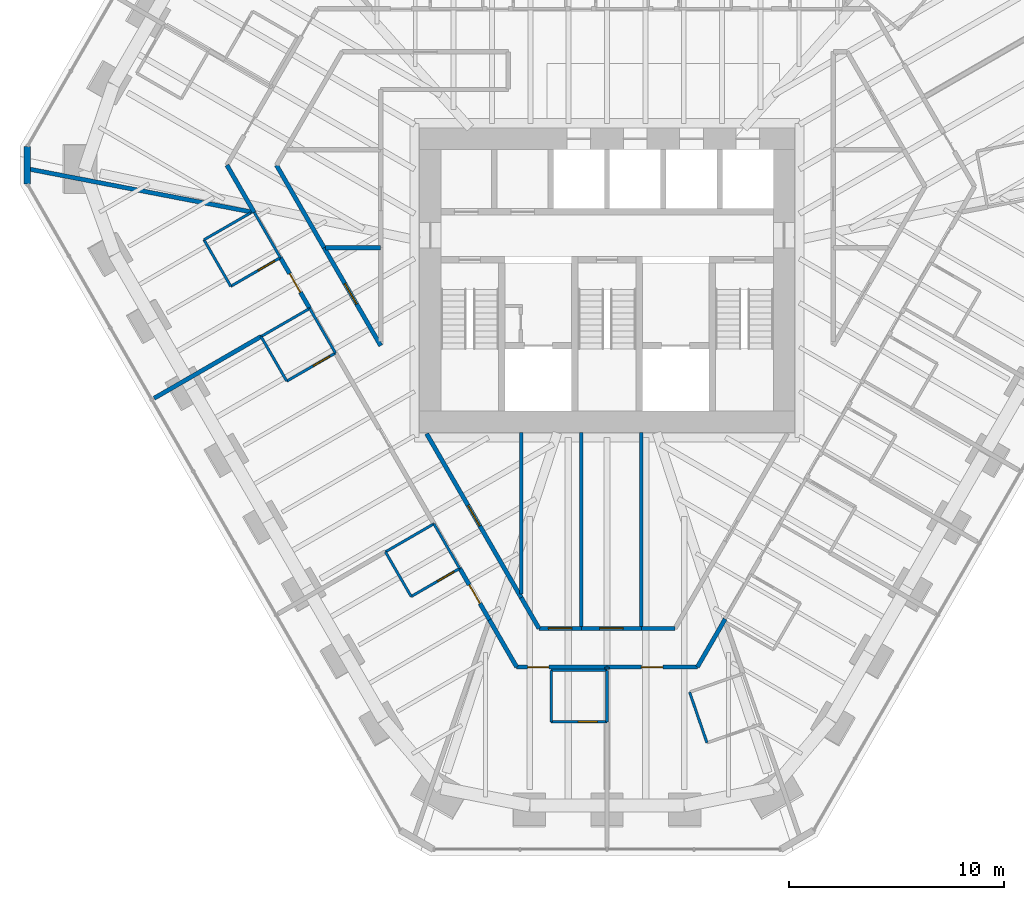
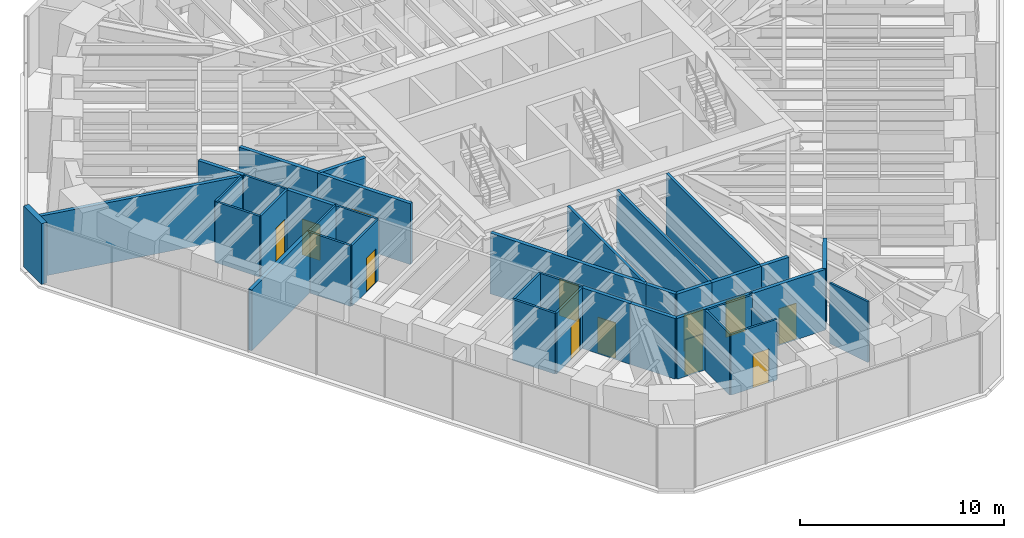
# One storey, part 11 of 17: 39 walls, 12 doors, 12 openings.
"""IFC4 building model written with IfcOpenShell, lengths in metres."""

from ifc_helpers import new_model, si_unit, direction, frame, frame_2d, origin, place, context, subcontext, project, spatial, rectangle, extrude, material, layer, layer_set, type_object, element, fill, save


model = new_model("IFC4")

# Units and contexts
model_context = context("Model", 3, precision=1e-05, world=origin(), true_north=direction((0.0, 1.0)))
body_context = subcontext(model_context, "Body", "Model", "MODEL_VIEW")
ifc_project = project(units=[si_unit("LENGTHUNIT", "METRE"), si_unit("AREAUNIT", "SQUARE_METRE"), si_unit("VOLUMEUNIT", "CUBIC_METRE"), si_unit("PLANEANGLEUNIT", "RADIAN"), si_unit("MASSUNIT", "GRAM", prefix="KILO")], contexts=[model_context])

# Site, building, storey
site_placement = place(None, origin())
site = spatial("IfcSite", under=ifc_project, at=site_placement, CompositionType="ELEMENT")
building_placement = place(site_placement, origin())
building = spatial("IfcBuilding", under=site, at=building_placement, Name="Sandreach Pilgrim Tower", CompositionType="ELEMENT")
storey_placement = place(building_placement, frame((0.0, 0.0, 240.199951171875)))
storey = spatial("IfcBuildingStorey", under=building, at=storey_placement, Name="L60", CompositionType="ELEMENT", Elevation=240.199951171875)

# Walls
ifc_material_1 = material(Name="Gypsum board on steel studs", Category="steel")
ifc_layer_1 = layer(ifc_material_1, 0.14990234375)
ifc_layer_set_1 = layer_set([ifc_layer_1], Name="Back of house wall 150")
wall_type_1 = type_object("IfcWallType", Name="Back of house wall 150", PredefinedType="PARTITIONING", material=ifc_layer_set_1)
wall_1_placement = place(storey_placement, frame((-4.0, -7.10009765625, 0.0), z_axis=(0.0, 0.0, 1.0), x_axis=(0.0, -1.0, 0.0)))
element("IfcWall", 1, at=wall_1_placement, inside=storey, type_object=wall_type_1, Name="Back of house wall L60-060", PredefinedType="PARTITIONING", context=body_context, shape_type="SweptSolid", body=[
    extrude(rectangle(XDim=7.514892578125, YDim=0.14990234375, at=frame_2d((3.75732421875, 0.0))), origin(), (0.0, 0.0, 1.0), 3.64013671875),
])
for number, where, z_axis, x_axis, name in (
    (2, (-1.199951171875, -7.10009765625, 0.0), (0.0, 0.0, 1.0), (0.0, -1.0, 0.0), "Back of house wall L60-069"),
    (3, (1.60009765625, -7.10009765625, 0.0), (0.0, 0.0, 1.0), (0.0, -1.0, 0.0), "Back of house wall L60-078"),
):
    element("IfcWall", number, at=place(storey_placement, frame(where, z_axis=z_axis, x_axis=x_axis)), inside=storey, type_object=wall_type_1, Name=name, PredefinedType="PARTITIONING", context=body_context, shape_type="SweptSolid", body=[
        extrude(rectangle(XDim=9.1298828125, YDim=0.14990234375, at=frame_2d((4.56494140625, 0.0))), origin(), (0.0, 0.0, 1.0), 3.64013671875),
    ])
ifc_material_2 = material(Name="Moisture-resistant gypsum board on steel studs", Category="steel")
ifc_layer_2 = layer(ifc_material_2, 0.1201171875)
ifc_layer_set_2 = layer_set([ifc_layer_2], Name="Bathroom partition 120")
wall_type_2 = type_object("IfcWallType", Name="Bathroom partition 120", PredefinedType="PARTITIONING", material=ifc_layer_set_2)
wall_2_placement = place(storey_placement, frame((-18.7900390625, 1.889892578125, 0.0), z_axis=(0.0, 0.0, 1.0), x_axis=(0.499159685399, -0.866510016372, 0.0)))
element("IfcWall", 4, at=wall_2_placement, inside=storey, type_object=wall_type_2, Name="Bathroom partition L60-008", PredefinedType="PARTITIONING", context=body_context, shape_type="SweptSolid", body=[
    extrude(rectangle(XDim=2.504150390625, YDim=0.1201171875, at=frame_2d((1.251953125, 0.0))), origin(), (0.0, 0.0, 1.0), 3.64013671875),
])

# Wall, opening, door
wall_3_placement = place(storey_placement, frame((-17.5400390625, -0.280029296875, 0.0), z_axis=(0.0, 0.0, 1.0), x_axis=(0.86498992408, 0.501789229896, 0.0)))
wall_3 = element("IfcWall", 5, at=wall_3_placement, inside=storey, type_object=wall_type_2, Name="Bathroom partition L60-013", PredefinedType="PARTITIONING", context=body_context, shape_type="SweptSolid", body=[
    extrude(rectangle(XDim=2.670654296875, YDim=0.1201171875, at=frame_2d((1.33544921875, 0.0))), origin(), (0.0, 0.0, 1.0), 3.64013671875),
])
opening_1_placement = place(wall_3_placement, frame((1.470458984375, 0.0, 0.0)))
opening_1 = element("IfcOpeningElement", 6, at=opening_1_placement, cuts=wall_3, Name="Opening D09-17B", PredefinedType="OPENING", context=body_context, shape_type="SweptSolid", body=[
    extrude(rectangle(XDim=0.89990234375, YDim=2.030029296875, at=frame_2d((0.449951171875, 1.01513671875))), frame((0.0, 0.06005859375, 0.0), z_axis=(0.0, -1.0, 0.0), x_axis=(1.0, 0.0, 0.0)), (0.0, 0.0, 1.0), 0.1201171875),
])
ifc_material_3 = material(Name="Timber door, steel frame", Category="steel")
door_type_1 = type_object("IfcDoorType", Name="Bathroom door", OperationType="SINGLE_SWING_LEFT", PredefinedType="DOOR", material=ifc_material_3)
door_1_placement = place(opening_1_placement, origin())
door_1 = element("IfcDoor", 7, at=door_1_placement, inside=storey, type_object=door_type_1, Name="Door 6017B", OperationType="SINGLE_SWING_RIGHT", OverallHeight=2.030029296875, OverallWidth=0.89990234375, PredefinedType="DOOR", context=body_context, shape_type="SweptSolid", body=[
    extrude(rectangle(XDim=0.89990234375, YDim=2.030029296875, at=frame_2d((0.449951171875, 1.01513671875))), frame((0.0, 0.02490234375, 0.0), z_axis=(0.0, -1.0, 0.0), x_axis=(1.0, 0.0, 0.0)), (0.0, 0.0, 1.0), 0.050048828125),
])
fill(opening_1, door_1)

# Walls
wall_4_placement = place(storey_placement, frame((-16.623779296875, 3.1376953125, 0.0), z_axis=(0.0, 0.0, 1.0), x_axis=(-0.866525185869, -0.499133351175, 0.0)))
element("IfcWall", 8, at=wall_4_placement, inside=storey, type_object=wall_type_2, Name="Bathroom partition L60-014", PredefinedType="PARTITIONING", context=body_context, shape_type="SweptSolid", body=[
    extrude(rectangle(XDim=2.5, YDim=0.1201171875, at=frame_2d((1.25, 0.0))), origin(), (0.0, 0.0, 1.0), 3.64013671875),
])
wall_5_placement = place(storey_placement, frame((-16.44677734375, 3.171875, 0.0), z_axis=(0.0, 0.0, 1.0), x_axis=(0.499242543719, -0.86646227993, 0.0)))
element("IfcWall", 9, at=wall_5_placement, inside=storey, type_object=wall_type_2, Name="Bathroom partition L60-016", PredefinedType="PARTITIONING", context=body_context, shape_type="SweptSolid", body=[
    extrude(rectangle(XDim=2.437255859375, YDim=0.1201171875, at=frame_2d((1.21875, 0.0))), origin(), (0.0, 0.0, 1.0), 3.64013671875),
])
wall_6_placement = place(storey_placement, frame((-16.1298828125, -2.6201171875, 0.0), z_axis=(0.0, 0.0, 1.0), x_axis=(0.499737123639, -0.866177122335, 0.0)))
element("IfcWall", 10, at=wall_6_placement, inside=storey, type_object=wall_type_2, Name="Bathroom partition L60-017", PredefinedType="PARTITIONING", context=body_context, shape_type="SweptSolid", body=[
    extrude(rectangle(XDim=2.401123046875, YDim=0.1201171875, at=frame_2d((1.20068359375, 0.0))), origin(), (0.0, 0.0, 1.0), 3.64013671875),
])
wall_7_placement = place(storey_placement, frame((-16.1298828125, -2.6201171875, 0.0), z_axis=(0.0, 0.0, 1.0), x_axis=(0.866114241029, 0.499846097802, 0.0)))
element("IfcWall", 11, at=wall_7_placement, inside=storey, type_object=wall_type_2, Name="Bathroom partition L60-018", PredefinedType="PARTITIONING", context=body_context, shape_type="SweptSolid", body=[
    extrude(rectangle(XDim=2.620849609375, YDim=0.1201171875, at=frame_2d((1.310546875, 0.0))), origin(), (0.0, 0.0, 1.0), 3.64013671875),
])

# Wall, opening, door
wall_8_placement = place(storey_placement, frame((-14.929931640625, -4.699951171875, 0.0), z_axis=(0.0, 0.0, 1.0), x_axis=(0.866114241029, 0.499846097802, 0.0)))
wall_8 = element("IfcWall", 12, at=wall_8_placement, inside=storey, type_object=wall_type_2, Name="Bathroom partition L60-026", PredefinedType="PARTITIONING", context=body_context, shape_type="SweptSolid", body=[
    extrude(rectangle(XDim=2.620849609375, YDim=0.1201171875, at=frame_2d((1.310546875, 0.0))), origin(), (0.0, 0.0, 1.0), 3.64013671875),
])
opening_2_placement = place(wall_8_placement, frame((1.4208984375, 0.0, 0.0)))
opening_2 = element("IfcOpeningElement", 13, at=opening_2_placement, cuts=wall_8, Name="Opening D09-16B", PredefinedType="OPENING", context=body_context, shape_type="SweptSolid", body=[
    extrude(rectangle(XDim=0.89990234375, YDim=2.030029296875, at=frame_2d((0.449951171875, 1.01513671875))), frame((0.0, 0.06005859375, 0.0), z_axis=(0.0, -1.0, 0.0), x_axis=(1.0, 0.0, 0.0)), (0.0, 0.0, 1.0), 0.1201171875),
])
door_2_placement = place(opening_2_placement, origin())
door_2 = element("IfcDoor", 14, at=door_2_placement, inside=storey, type_object=door_type_1, Name="Door 6016B", OperationType="SINGLE_SWING_RIGHT", OverallHeight=2.030029296875, OverallWidth=0.89990234375, PredefinedType="DOOR", context=body_context, shape_type="SweptSolid", body=[
    extrude(rectangle(XDim=0.89990234375, YDim=2.030029296875, at=frame_2d((0.449951171875, 1.01513671875))), frame((0.0, 0.02490234375, 0.0), z_axis=(0.0, -1.0, 0.0), x_axis=(1.0, 0.0, 0.0)), (0.0, 0.0, 1.0), 0.050048828125),
])
fill(opening_2, door_2)

# Walls
for number, where, z_axis, x_axis, name in (
    (15, (-13.860107421875, -1.31005859375, 0.0), (0.0, 0.0, 1.0), (0.499813401482, -0.866133109688, 0.0), "Bathroom partition L60-029"),
    (16, (-10.330078125, -12.659912109375, 0.0), (0.0, 0.0, 1.0), (0.499693115345, -0.866202511239, 0.0), "Bathroom partition L60-041"),
):
    element("IfcWall", number, at=place(storey_placement, frame(where, z_axis=z_axis, x_axis=x_axis)), inside=storey, type_object=wall_type_2, Name=name, PredefinedType="PARTITIONING", context=body_context, shape_type="SweptSolid", body=[
        extrude(rectangle(XDim=2.4013671875, YDim=0.1201171875, at=frame_2d((1.20068359375, 0.0))), origin(), (0.0, 0.0, 1.0), 3.64013671875),
    ])
wall_9_placement = place(storey_placement, frame((-10.330078125, -12.659912109375, 0.0), z_axis=(0.0, 0.0, 1.0), x_axis=(0.865195830568, 0.501434118073, 0.0)))
element("IfcWall", 17, at=wall_9_placement, inside=storey, type_object=wall_type_2, Name="Bathroom partition L60-042", PredefinedType="PARTITIONING", context=body_context, shape_type="SweptSolid", body=[
    extrude(rectangle(XDim=2.612060546875, YDim=0.1201171875, at=frame_2d((1.30615234375, 0.0))), origin(), (0.0, 0.0, 1.0), 3.64013671875),
])

# Wall, opening, door
wall_10_placement = place(storey_placement, frame((-9.1298828125, -14.739990234375, 0.0), z_axis=(0.0, 0.0, 1.0), x_axis=(0.865131772832, 0.501544629755, 0.0)))
wall_10 = element("IfcWall", 18, at=wall_10_placement, inside=storey, type_object=wall_type_2, Name="Bathroom partition L60-043", PredefinedType="PARTITIONING", context=body_context, shape_type="SweptSolid", body=[
    extrude(rectangle(XDim=2.612060546875, YDim=0.1201171875, at=frame_2d((1.30615234375, 0.0))), origin(), (0.0, 0.0, 1.0), 3.64013671875),
])
opening_3_placement = place(wall_10_placement, frame((1.412109375, 0.0, 0.0)))
opening_3 = element("IfcOpeningElement", 19, at=opening_3_placement, cuts=wall_10, Name="Opening D09-15B", PredefinedType="OPENING", context=body_context, shape_type="SweptSolid", body=[
    extrude(rectangle(XDim=0.89990234375, YDim=2.030029296875, at=frame_2d((0.449951171875, 1.01513671875))), frame((0.0, 0.06005859375, 0.0), z_axis=(0.0, -1.0, 0.0), x_axis=(1.0, 0.0, 0.0)), (0.0, 0.0, 1.0), 0.1201171875),
])
door_3_placement = place(opening_3_placement, origin())
door_3 = element("IfcDoor", 20, at=door_3_placement, inside=storey, type_object=door_type_1, Name="Door 6015B", OperationType="SINGLE_SWING_RIGHT", OverallHeight=2.030029296875, OverallWidth=0.89990234375, PredefinedType="DOOR", context=body_context, shape_type="SweptSolid", body=[
    extrude(rectangle(XDim=0.89990234375, YDim=2.030029296875, at=frame_2d((0.449951171875, 1.01513671875))), frame((0.0, 0.02490234375, 0.0), z_axis=(0.0, -1.0, 0.0), x_axis=(1.0, 0.0, 0.0)), (0.0, 0.0, 1.0), 0.050048828125),
])
fill(opening_3, door_3)

# Wall
wall_11_placement = place(storey_placement, frame((-8.070068359375, -11.35009765625, 0.0), z_axis=(0.0, 0.0, 1.0), x_axis=(0.499737123639, -0.866177122335, 0.0)))
element("IfcWall", 21, at=wall_11_placement, inside=storey, type_object=wall_type_2, Name="Bathroom partition L60-047", PredefinedType="PARTITIONING", context=body_context, shape_type="SweptSolid", body=[
    extrude(rectangle(XDim=2.401123046875, YDim=0.1201171875, at=frame_2d((1.20068359375, 0.0))), origin(), (0.0, 0.0, 1.0), 3.64013671875),
])

# Wall, opening, door
wall_12_placement = place(storey_placement, frame((-2.60009765625, -20.580078125, 0.0), z_axis=(0.0, 0.0, 1.0), x_axis=(1.0, 0.0, 0.0)))
wall_12 = element("IfcWall", 22, at=wall_12_placement, inside=storey, type_object=wall_type_2, Name="Bathroom partition L60-062", PredefinedType="PARTITIONING", context=body_context, shape_type="SweptSolid", body=[
    extrude(rectangle(XDim=2.60009765625, YDim=0.1201171875, at=frame_2d((1.300048828125, 0.0))), origin(), (0.0, 0.0, 1.0), 3.64013671875),
])
opening_4_placement = place(wall_12_placement, frame((1.25, 0.0, 0.0)))
opening_4 = element("IfcOpeningElement", 23, at=opening_4_placement, cuts=wall_12, Name="Opening D09-14B", PredefinedType="OPENING", context=body_context, shape_type="SweptSolid", body=[
    extrude(rectangle(XDim=0.89990234375, YDim=2.030029296875, at=frame_2d((0.449951171875, 1.01513671875))), frame((0.0, 0.06005859375, 0.0), z_axis=(0.0, -1.0, 0.0), x_axis=(1.0, 0.0, 0.0)), (0.0, 0.0, 1.0), 0.1201171875),
])
door_4_placement = place(opening_4_placement, origin())
door_4 = element("IfcDoor", 24, at=door_4_placement, inside=storey, type_object=door_type_1, Name="Door 6014B", OperationType="SINGLE_SWING_RIGHT", OverallHeight=2.030029296875, OverallWidth=0.89990234375, PredefinedType="DOOR", context=body_context, shape_type="SweptSolid", body=[
    extrude(rectangle(XDim=0.89990234375, YDim=2.030029296875, at=frame_2d((0.449951171875, 1.01513671875))), frame((0.0, 0.02490234375, 0.0), z_axis=(0.0, -1.0, 0.0), x_axis=(1.0, 0.0, 0.0)), (0.0, 0.0, 1.0), 0.050048828125),
])
fill(opening_4, door_4)

# Walls
wall_13_placement = place(storey_placement, frame((-2.60009765625, -18.179931640625, 0.0), z_axis=(0.0, 0.0, 1.0), x_axis=(0.0, -1.0, 0.0)))
element("IfcWall", 25, at=wall_13_placement, inside=storey, type_object=wall_type_2, Name="Bathroom partition L60-063", PredefinedType="PARTITIONING", context=body_context, shape_type="SweptSolid", body=[
    extrude(rectangle(XDim=2.400146484375, YDim=0.1201171875, at=frame_2d((1.2001953125, 0.0))), origin(), (0.0, 0.0, 1.0), 3.64013671875),
])
wall_14_placement = place(storey_placement, frame((0.0, -20.580078125, 0.0), z_axis=(0.0, 0.0, 1.0), x_axis=(0.0, 1.0, 0.0)))
element("IfcWall", 26, at=wall_14_placement, inside=storey, type_object=wall_type_2, Name="Bathroom partition L60-073", PredefinedType="PARTITIONING", context=body_context, shape_type="SweptSolid", body=[
    extrude(rectangle(XDim=2.400146484375, YDim=0.1201171875, at=frame_2d((1.2001953125, 0.0))), origin(), (0.0, 0.0, 1.0), 2.8603515625),
])
wall_15_placement = place(storey_placement, frame((0.0, -18.179931640625, 0.0), z_axis=(0.0, 0.0, 1.0), x_axis=(-1.0, 0.0, 0.0)))
element("IfcWall", 27, at=wall_15_placement, inside=storey, type_object=wall_type_2, Name="Bathroom partition L60-074", PredefinedType="PARTITIONING", context=body_context, shape_type="SweptSolid", body=[
    extrude(rectangle(XDim=2.60009765625, YDim=0.1201171875, at=frame_2d((1.300048828125, 0.0))), origin(), (0.0, 0.0, 1.0), 3.64013671875),
])
wall_16_placement = place(storey_placement, frame((3.85009765625, -19.199951171875, 0.0), z_axis=(0.0, 0.0, 1.0), x_axis=(0.324551952924, -0.945867871245, 0.0)))
element("IfcWall", 28, at=wall_16_placement, inside=storey, type_object=wall_type_2, Name="Bathroom partition L60-086", PredefinedType="PARTITIONING", context=body_context, shape_type="SweptSolid", body=[
    extrude(rectangle(XDim=2.4951171875, YDim=0.1201171875, at=frame_2d((1.24755859375, 0.0))), origin(), (0.0, 0.0, 1.0), 3.64013671875),
])
ifc_material_4 = material(Name="Gypsum board on steel studs, two layers each side", Category="steel")
ifc_layer_3 = layer(ifc_material_4, 0.199951171875)
ifc_layer_set_3 = layer_set([ifc_layer_3], Name="Corridor wall 200")
wall_type_3 = type_object("IfcWallType", Name="Corridor wall 200", PredefinedType="PARTITIONING", material=ifc_layer_set_3)
wall_17_placement = place(storey_placement, frame((-17.719970703125, 5.3701171875, 0.0), z_axis=(0.0, 0.0, 1.0), x_axis=(0.499922110319, -0.866070368743, 0.0)))
element("IfcWall", 29, at=wall_17_placement, inside=storey, type_object=wall_type_3, Name="Corridor wall L60-011", PredefinedType="PARTITIONING", context=body_context, shape_type="SweptSolid", body=[
    extrude(rectangle(XDim=2.54052734375, YDim=0.199951171875, at=frame_2d((1.270263671875, 0.0))), origin(), (0.0, 0.0, 1.0), 3.64013671875),
])

# Wall, opening, door
wall_18_placement = place(storey_placement, frame((-15.22998046875, 1.06005859375, 0.0), z_axis=(0.0, 0.0, 1.0), x_axis=(0.500406860043, -0.865790375565, 0.0)))
wall_18 = element("IfcWall", 30, at=wall_18_placement, inside=storey, type_object=wall_type_3, Name="Corridor wall L60-024", PredefinedType="PARTITIONING", context=body_context, shape_type="SweptSolid", body=[
    extrude(rectangle(XDim=2.737548828125, YDim=0.199951171875, at=frame_2d((1.36865234375, 0.0))), origin(), (0.0, 0.0, 1.0), 3.64013671875),
])
opening_5_placement = place(wall_18_placement, frame((0.86865234375, 0.0, 0.0)))
opening_5 = element("IfcOpeningElement", 31, at=opening_5_placement, cuts=wall_18, Name="Opening D10-17", PredefinedType="OPENING", context=body_context, shape_type="SweptSolid", body=[
    extrude(rectangle(XDim=1.0, YDim=2.1298828125, at=frame_2d((0.5, 1.06494140625))), frame((0.0, 0.10009765625, 0.0), z_axis=(0.0, -1.0, 0.0), x_axis=(1.0, 0.0, 0.0)), (0.0, 0.0, 1.0), 0.199951171875),
])
ifc_material_5 = material(Name="Steel door and frame", Category="steel")
door_type_2 = type_object("IfcDoorType", Name="Guest room entry door", OperationType="SINGLE_SWING_LEFT", PredefinedType="DOOR", material=ifc_material_5)
door_5_placement = place(opening_5_placement, origin())
door_5 = element("IfcDoor", 32, at=door_5_placement, inside=storey, type_object=door_type_2, Name="Door 6017", OperationType="SINGLE_SWING_LEFT", OverallHeight=2.1298828125, OverallWidth=1.0, PredefinedType="DOOR", context=body_context, shape_type="SweptSolid", body=[
    extrude(rectangle(XDim=1.0, YDim=2.1298828125, at=frame_2d((0.5, 1.06494140625))), frame((0.0, 0.02490234375, 0.0), z_axis=(0.0, -1.0, 0.0), x_axis=(1.0, 0.0, 0.0)), (0.0, 0.0, 1.0), 0.050048828125),
])
fill(opening_5, door_5)

# Wall
wall_19_placement = place(storey_placement, frame((-13.18994140625, 1.52001953125, 0.0), z_axis=(0.0, 0.0, 1.0), x_axis=(-0.499513190454, 0.866306281036, 0.0)))
element("IfcWall", 33, at=wall_19_placement, inside=storey, type_object=wall_type_3, Name="Corridor wall L60-031", PredefinedType="PARTITIONING", context=body_context, shape_type="SweptSolid", body=[
    extrude(rectangle(XDim=4.4443359375, YDim=0.199951171875, at=frame_2d((2.22216796875, 0.0))), origin(), (0.0, 0.0, 1.0), 3.64013671875),
])

# Wall, opening, door
wall_20_placement = place(storey_placement, frame((-10.550048828125, -3.050048828125, 0.0), z_axis=(0.0, 0.0, 1.0), x_axis=(-0.500193590286, 0.865913605527, 0.0)))
wall_20 = element("IfcWall", 34, at=wall_20_placement, inside=storey, type_object=wall_type_3, Name="Corridor wall L60-037", PredefinedType="PARTITIONING", context=body_context, shape_type="SweptSolid", body=[
    extrude(rectangle(XDim=5.27783203125, YDim=0.199951171875, at=frame_2d((2.638916015625, 0.0))), origin(), (0.0, 0.0, 1.0), 3.64013671875),
])
opening_6_placement = place(wall_20_placement, frame((2.25, 0.0, 0.0)))
opening_6 = element("IfcOpeningElement", 35, at=opening_6_placement, cuts=wall_20, Name="Opening D11H-M02", PredefinedType="OPENING", context=body_context, shape_type="SweptSolid", body=[
    extrude(rectangle(XDim=1.10009765625, YDim=2.199951171875, at=frame_2d((0.550048828125, 1.10009765625))), frame((0.0, 0.10009765625, 0.0), z_axis=(0.0, -1.0, 0.0), x_axis=(1.0, 0.0, 0.0)), (0.0, 0.0, 1.0), 0.199951171875),
])
ifc_material_6 = material(Name="Steel door and frame", Category="steel")
door_type_3 = type_object("IfcDoorType", Name="Back of house door", OperationType="SINGLE_SWING_LEFT", PredefinedType="DOOR", material=ifc_material_6)
door_6_placement = place(opening_6_placement, origin())
door_6 = element("IfcDoor", 36, at=door_6_placement, inside=storey, type_object=door_type_3, Name="Door 60M02", OperationType="SINGLE_SWING_RIGHT", OverallHeight=2.199951171875, OverallWidth=1.10009765625, PredefinedType="DOOR", context=body_context, shape_type="SweptSolid", body=[
    extrude(rectangle(XDim=1.10009765625, YDim=2.199951171875, at=frame_2d((0.550048828125, 1.10009765625))), frame((0.0, 0.02490234375, 0.0), z_axis=(0.0, -1.0, 0.0), x_axis=(1.0, 0.0, 0.0)), (0.0, 0.0, 1.0), 0.050048828125),
])
fill(opening_6, door_6)

wall_21_placement = place(storey_placement, frame((-6.865234375, -13.42724609375, 0.0), z_axis=(0.0, 0.0, 1.0), x_axis=(0.499453176768, -0.866340882226, 0.0)))
wall_21 = element("IfcWall", 37, at=wall_21_placement, inside=storey, type_object=wall_type_3, Name="Corridor wall L60-048", PredefinedType="PARTITIONING", context=body_context, shape_type="SweptSolid", body=[
    extrude(rectangle(XDim=2.7734375, YDim=0.199951171875, at=frame_2d((1.38671875, 0.0))), origin(), (0.0, 0.0, 1.0), 3.64013671875),
])
opening_7_placement = place(wall_21_placement, frame((0.88671875, 0.0, 0.0)))
opening_7 = element("IfcOpeningElement", 38, at=opening_7_placement, cuts=wall_21, Name="Opening D10-15", PredefinedType="OPENING", context=body_context, shape_type="SweptSolid", body=[
    extrude(rectangle(XDim=1.0, YDim=2.1298828125, at=frame_2d((0.5, 1.06494140625))), frame((0.0, 0.10009765625, 0.0), z_axis=(0.0, -1.0, 0.0), x_axis=(1.0, 0.0, 0.0)), (0.0, 0.0, 1.0), 0.199951171875),
])
door_7_placement = place(opening_7_placement, origin())
door_7 = element("IfcDoor", 39, at=door_7_placement, inside=storey, type_object=door_type_2, Name="Door 6015", OperationType="SINGLE_SWING_LEFT", OverallHeight=2.1298828125, OverallWidth=1.0, PredefinedType="DOOR", context=body_context, shape_type="SweptSolid", body=[
    extrude(rectangle(XDim=1.0, YDim=2.1298828125, at=frame_2d((0.5, 1.06494140625))), frame((0.0, 0.02490234375, 0.0), z_axis=(0.0, -1.0, 0.0), x_axis=(1.0, 0.0, 0.0)), (0.0, 0.0, 1.0), 0.050048828125),
])
fill(opening_7, door_7)

# Wall
wall_22_placement = place(storey_placement, frame((-5.47998046875, -15.830078125, 0.0), z_axis=(0.0, 0.0, 1.0), x_axis=(0.499963722229, -0.866046347752, 0.0)))
element("IfcWall", 40, at=wall_22_placement, inside=storey, type_object=wall_type_3, Name="Corridor wall L60-053", PredefinedType="PARTITIONING", context=body_context, shape_type="SweptSolid", body=[
    extrude(rectangle(XDim=2.540283203125, YDim=0.199951171875, at=frame_2d((1.27001953125, 0.0))), origin(), (0.0, 0.0, 1.0), 3.64013671875),
])

# Wall, opening, door
wall_23_placement = place(storey_placement, frame((-4.2099609375, -18.030029296875, 0.0), z_axis=(0.0, 0.0, 1.0), x_axis=(1.0, 0.0, 0.0)))
wall_23 = element("IfcWall", 41, at=wall_23_placement, inside=storey, type_object=wall_type_3, Name="Corridor wall L60-058", PredefinedType="PARTITIONING", context=body_context, shape_type="SweptSolid", body=[
    extrude(rectangle(XDim=4.2099609375, YDim=0.199951171875, at=frame_2d((2.10498046875, 0.0))), origin(), (0.0, 0.0, 1.0), 3.64013671875),
])
opening_8_placement = place(wall_23_placement, frame((0.5048828125, 0.0, 0.0)))
opening_8 = element("IfcOpeningElement", 42, at=opening_8_placement, cuts=wall_23, Name="Opening D10-14", PredefinedType="OPENING", context=body_context, shape_type="SweptSolid", body=[
    extrude(rectangle(XDim=1.0, YDim=2.1298828125, at=frame_2d((0.5, 1.06494140625))), frame((0.0, 0.10009765625, 0.0), z_axis=(0.0, -1.0, 0.0), x_axis=(1.0, 0.0, 0.0)), (0.0, 0.0, 1.0), 0.199951171875),
])
door_8_placement = place(opening_8_placement, origin())
door_8 = element("IfcDoor", 43, at=door_8_placement, inside=storey, type_object=door_type_2, Name="Door 6014", OperationType="SINGLE_SWING_LEFT", OverallHeight=2.1298828125, OverallWidth=1.0, PredefinedType="DOOR", context=body_context, shape_type="SweptSolid", body=[
    extrude(rectangle(XDim=1.0, YDim=2.1298828125, at=frame_2d((0.5, 1.06494140625))), frame((0.0, 0.02490234375, 0.0), z_axis=(0.0, -1.0, 0.0), x_axis=(1.0, 0.0, 0.0)), (0.0, 0.0, 1.0), 0.050048828125),
])
fill(opening_8, door_8)

wall_24_placement = place(storey_placement, frame((-4.0, -14.7900390625, 0.0), z_axis=(0.0, 0.0, 1.0), x_axis=(-0.499916512745, 0.866073599808, 0.0)))
wall_24 = element("IfcWall", 44, at=wall_24_placement, inside=storey, type_object=wall_type_3, Name="Corridor wall L60-059", PredefinedType="PARTITIONING", context=body_context, shape_type="SweptSolid", body=[
    extrude(rectangle(XDim=8.8212890625, YDim=0.199951171875, at=frame_2d((4.41064453125, 0.0))), origin(), (0.0, 0.0, 1.0), 3.64013671875),
])
opening_9_placement = place(wall_24_placement, frame((3.860595703125, 0.0, 0.0)))
opening_9 = element("IfcOpeningElement", 45, at=opening_9_placement, cuts=wall_24, Name="Opening D11H-S1", PredefinedType="OPENING", context=body_context, shape_type="SweptSolid", body=[
    extrude(rectangle(XDim=1.10009765625, YDim=2.199951171875, at=frame_2d((0.550048828125, 1.10009765625))), frame((0.0, 0.10009765625, 0.0), z_axis=(0.0, -1.0, 0.0), x_axis=(1.0, 0.0, 0.0)), (0.0, 0.0, 1.0), 0.199951171875),
])
door_9_placement = place(opening_9_placement, origin())
door_9 = element("IfcDoor", 46, at=door_9_placement, inside=storey, type_object=door_type_3, Name="Door 60S1", OperationType="SINGLE_SWING_LEFT", OverallHeight=2.199951171875, OverallWidth=1.10009765625, PredefinedType="DOOR", context=body_context, shape_type="SweptSolid", body=[
    extrude(rectangle(XDim=1.10009765625, YDim=2.199951171875, at=frame_2d((0.550048828125, 1.10009765625))), frame((0.0, 0.02490234375, 0.0), z_axis=(0.0, -1.0, 0.0), x_axis=(1.0, 0.0, 0.0)), (0.0, 0.0, 1.0), 0.050048828125),
])
fill(opening_9, door_9)

# Wall
wall_25_placement = place(storey_placement, frame((-3.169921875, -16.22998046875, 0.0), z_axis=(0.0, 0.0, 1.0), x_axis=(-0.499425709803, 0.866356716594, 0.0)))
element("IfcWall", 47, at=wall_25_placement, inside=storey, type_object=wall_type_3, Name="Corridor wall L60-061", PredefinedType="PARTITIONING", context=body_context, shape_type="SweptSolid", body=[
    extrude(rectangle(XDim=1.662109375, YDim=0.199951171875, at=frame_2d((0.8310546875, 0.0))), origin(), (0.0, 0.0, 1.0), 3.64013671875),
])

# Wall, opening, door
wall_26_placement = place(storey_placement, frame((-1.199951171875, -16.22998046875, 0.0), z_axis=(0.0, 0.0, 1.0), x_axis=(-1.0, 0.0, 0.0)))
wall_26 = element("IfcWall", 48, at=wall_26_placement, inside=storey, type_object=wall_type_3, Name="Corridor wall L60-068", PredefinedType="PARTITIONING", context=body_context, shape_type="SweptSolid", body=[
    extrude(rectangle(XDim=1.969970703125, YDim=0.199951171875, at=frame_2d((0.98486328125, 0.0))), origin(), (0.0, 0.0, 1.0), 3.64013671875),
])
opening_10_placement = place(wall_26_placement, frame((0.43505859375, 0.0, 0.0)))
opening_10 = element("IfcOpeningElement", 49, at=opening_10_placement, cuts=wall_26, Name="Opening D11H-S2", PredefinedType="OPENING", context=body_context, shape_type="SweptSolid", body=[
    extrude(rectangle(XDim=1.10009765625, YDim=2.199951171875, at=frame_2d((0.550048828125, 1.10009765625))), frame((0.0, 0.10009765625, 0.0), z_axis=(0.0, -1.0, 0.0), x_axis=(1.0, 0.0, 0.0)), (0.0, 0.0, 1.0), 0.199951171875),
])
door_10_placement = place(opening_10_placement, origin())
door_10 = element("IfcDoor", 50, at=door_10_placement, inside=storey, type_object=door_type_3, Name="Door 60S2", OperationType="SINGLE_SWING_LEFT", OverallHeight=2.199951171875, OverallWidth=1.10009765625, PredefinedType="DOOR", context=body_context, shape_type="SweptSolid", body=[
    extrude(rectangle(XDim=1.10009765625, YDim=2.199951171875, at=frame_2d((0.550048828125, 1.10009765625))), frame((0.0, 0.02490234375, 0.0), z_axis=(0.0, -1.0, 0.0), x_axis=(1.0, 0.0, 0.0)), (0.0, 0.0, 1.0), 0.050048828125),
])
fill(opening_10, door_10)

wall_27_placement = place(storey_placement, frame((0.0, -18.030029296875, 0.0), z_axis=(0.0, 0.0, 1.0), x_axis=(1.0, 0.0, 0.0)))
wall_27 = element("IfcWall", 51, at=wall_27_placement, inside=storey, type_object=wall_type_3, Name="Corridor wall L60-076", PredefinedType="PARTITIONING", context=body_context, shape_type="SweptSolid", body=[
    extrude(rectangle(XDim=4.2099609375, YDim=0.199951171875, at=frame_2d((2.10498046875, 0.0))), origin(), (0.0, 0.0, 1.0), 3.64013671875),
])
opening_11_placement = place(wall_27_placement, frame((1.60498046875, 0.0, 0.0)))
opening_11 = element("IfcOpeningElement", 52, at=opening_11_placement, cuts=wall_27, Name="Opening D10-13", PredefinedType="OPENING", context=body_context, shape_type="SweptSolid", body=[
    extrude(rectangle(XDim=1.0, YDim=2.1298828125, at=frame_2d((0.5, 1.06494140625))), frame((0.0, 0.10009765625, 0.0), z_axis=(0.0, -1.0, 0.0), x_axis=(1.0, 0.0, 0.0)), (0.0, 0.0, 1.0), 0.199951171875),
])
door_11_placement = place(opening_11_placement, origin())
door_11 = element("IfcDoor", 53, at=door_11_placement, inside=storey, type_object=door_type_2, Name="Door 6013", OperationType="SINGLE_SWING_LEFT", OverallHeight=2.1298828125, OverallWidth=1.0, PredefinedType="DOOR", context=body_context, shape_type="SweptSolid", body=[
    extrude(rectangle(XDim=1.0, YDim=2.1298828125, at=frame_2d((0.5, 1.06494140625))), frame((0.0, 0.02490234375, 0.0), z_axis=(0.0, -1.0, 0.0), x_axis=(1.0, 0.0, 0.0)), (0.0, 0.0, 1.0), 0.050048828125),
])
fill(opening_11, door_11)

wall_28_placement = place(storey_placement, frame((1.60009765625, -16.22998046875, 0.0), z_axis=(0.0, 0.0, 1.0), x_axis=(-1.0, 0.0, 0.0)))
wall_28 = element("IfcWall", 54, at=wall_28_placement, inside=storey, type_object=wall_type_3, Name="Corridor wall L60-077", PredefinedType="PARTITIONING", context=body_context, shape_type="SweptSolid", body=[
    extrude(rectangle(XDim=2.800048828125, YDim=0.199951171875, at=frame_2d((1.39990234375, 0.0))), origin(), (0.0, 0.0, 1.0), 3.64013671875),
])
opening_12_placement = place(wall_28_placement, frame((0.85009765625, 0.0, 0.0)))
opening_12 = element("IfcOpeningElement", 55, at=opening_12_placement, cuts=wall_28, Name="Opening D11H-S3", PredefinedType="OPENING", context=body_context, shape_type="SweptSolid", body=[
    extrude(rectangle(XDim=1.10009765625, YDim=2.199951171875, at=frame_2d((0.550048828125, 1.10009765625))), frame((0.0, 0.10009765625, 0.0), z_axis=(0.0, -1.0, 0.0), x_axis=(1.0, 0.0, 0.0)), (0.0, 0.0, 1.0), 0.199951171875),
])
door_12_placement = place(opening_12_placement, origin())
door_12 = element("IfcDoor", 56, at=door_12_placement, inside=storey, type_object=door_type_3, Name="Door 60S3", OperationType="SINGLE_SWING_LEFT", OverallHeight=2.199951171875, OverallWidth=1.10009765625, PredefinedType="DOOR", context=body_context, shape_type="SweptSolid", body=[
    extrude(rectangle(XDim=1.10009765625, YDim=2.199951171875, at=frame_2d((0.550048828125, 1.10009765625))), frame((0.0, 0.02490234375, 0.0), z_axis=(0.0, -1.0, 0.0), x_axis=(1.0, 0.0, 0.0)), (0.0, 0.0, 1.0), 0.050048828125),
])
fill(opening_12, door_12)

# Walls
wall_29_placement = place(storey_placement, frame((3.169921875, -16.22998046875, 0.0), z_axis=(0.0, 0.0, 1.0), x_axis=(-1.0, 0.0, 0.0)))
element("IfcWall", 57, at=wall_29_placement, inside=storey, type_object=wall_type_3, Name="Corridor wall L60-083", PredefinedType="PARTITIONING", context=body_context, shape_type="SweptSolid", body=[
    extrude(rectangle(XDim=1.56982421875, YDim=0.199951171875, at=frame_2d((0.784912109375, 0.0))), origin(), (0.0, 0.0, 1.0), 3.64013671875),
])
wall_30_placement = place(storey_placement, frame((5.510009765625, -15.7900390625, 0.0), z_axis=(0.0, 0.0, 1.0), x_axis=(-0.501964949025, -0.864887963814, 0.0)))
element("IfcWall", 58, at=wall_30_placement, inside=storey, type_object=wall_type_3, Name="Corridor wall L60-088", PredefinedType="PARTITIONING", context=body_context, shape_type="SweptSolid", body=[
    extrude(rectangle(XDim=2.58984375, YDim=0.199951171875, at=frame_2d((1.294921875, 0.0))), origin(), (0.0, 0.0, 1.0), 3.64013671875),
])
ifc_material_7 = material(Name="Double steel stud acoustic wall, gypsum board", Category="steel")
ifc_layer_4 = layer(ifc_material_7, 0.199951171875)
ifc_layer_set_4 = layer_set([ifc_layer_4], Name="Party wall 200")
wall_type_4 = type_object("IfcWallType", Name="Party wall 200", PredefinedType="PARTITIONING", material=ifc_layer_set_4)
wall_31_placement = place(storey_placement, frame((-27.04052734375, 5.204345703125, 0.0), z_axis=(0.0, 0.0, 1.0), x_axis=(0.981884490433, -0.18948046719, 0.0)))
element("IfcWall", 59, at=wall_31_placement, inside=storey, type_object=wall_type_4, Name="Party wall L60-001", PredefinedType="PARTITIONING", context=body_context, shape_type="SweptSolid", body=[
    extrude(rectangle(XDim=10.68408203125, YDim=0.199951171875, at=frame_2d((5.342041015625, 0.0))), origin(), (0.0, 0.0, 1.0), 3.64013671875),
])
wall_32_placement = place(storey_placement, frame((-21.115966796875, -5.5, 0.0), z_axis=(0.0, 0.0, 1.0), x_axis=(0.865919350456, 0.50018364478, 0.0)))
element("IfcWall", 60, at=wall_32_placement, inside=storey, type_object=wall_type_4, Name="Party wall L60-004", PredefinedType="PARTITIONING", context=body_context, shape_type="SweptSolid", body=[
    extrude(rectangle(XDim=5.758056640625, YDim=0.199951171875, at=frame_2d((2.87890625, 0.0))), origin(), (0.0, 0.0, 1.0), 3.64013671875),
])
wall_33_placement = place(storey_placement, frame((-10.56005859375, 1.52001953125, 0.0), z_axis=(0.0, 0.0, 1.0), x_axis=(-1.0, 0.0, 0.0)))
element("IfcWall", 61, at=wall_33_placement, inside=storey, type_object=wall_type_4, Name="Party wall L60-036", PredefinedType="PARTITIONING", context=body_context, shape_type="SweptSolid", body=[
    extrude(rectangle(XDim=2.56005859375, YDim=0.199951171875, at=frame_2d((1.280029296875, 0.0))), origin(), (0.0, 0.0, 1.0), 3.64013671875),
])
wall_34_placement = place(storey_placement, frame((0.0, -18.1201171875, 0.0), z_axis=(0.0, 0.0, 1.0), x_axis=(0.0, 1.0, 0.0)))
element("IfcWall", 62, at=wall_34_placement, inside=storey, type_object=wall_type_4, Name="Party wall L60-075", PredefinedType="PARTITIONING", context=body_context, shape_type="SweptSolid", body=[
    extrude(rectangle(XDim=0.090087890625, YDim=0.199951171875, at=frame_2d((0.044921875, 0.0))), origin(), (0.0, 0.0, 1.0), 3.64013671875),
])
ifc_material_8 = material(Name="Terracotta rainscreen on concrete", Category="masonry")
ifc_layer_5 = layer(ifc_material_8, 0.300048828125)
ifc_layer_set_5 = layer_set([ifc_layer_5], Name="Terracotta chamfer pier")
wall_type_5 = type_object("IfcWallType", Name="Terracotta chamfer pier", PredefinedType="SOLIDWALL", material=ifc_layer_set_5)
wall_35_placement = place(storey_placement, frame((-27.02001953125, 4.47998046875, 0.0), z_axis=(0.0, 0.0, 1.0), x_axis=(0.0, 1.0, 0.0)))
element("IfcWall", 63, at=wall_35_placement, inside=storey, type_object=wall_type_5, Name="Chamfer pier L60 SW", PredefinedType="SOLIDWALL", context=body_context, shape_type="SweptSolid", body=[
    extrude(rectangle(XDim=1.77001953125, YDim=0.300048828125, at=frame_2d((0.885009765625, 0.0))), origin(), (0.0, 0.0, 1.0), 3.64013671875),
])

save(model, "model.ifc")
